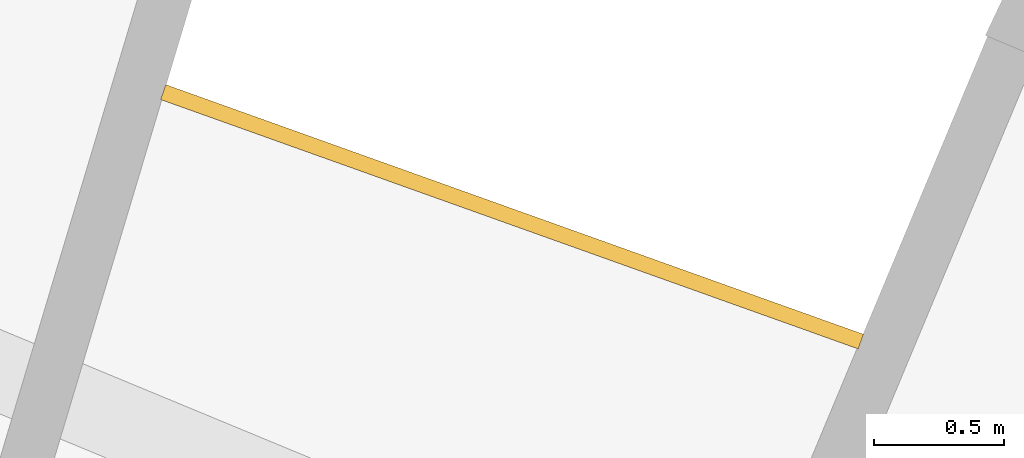
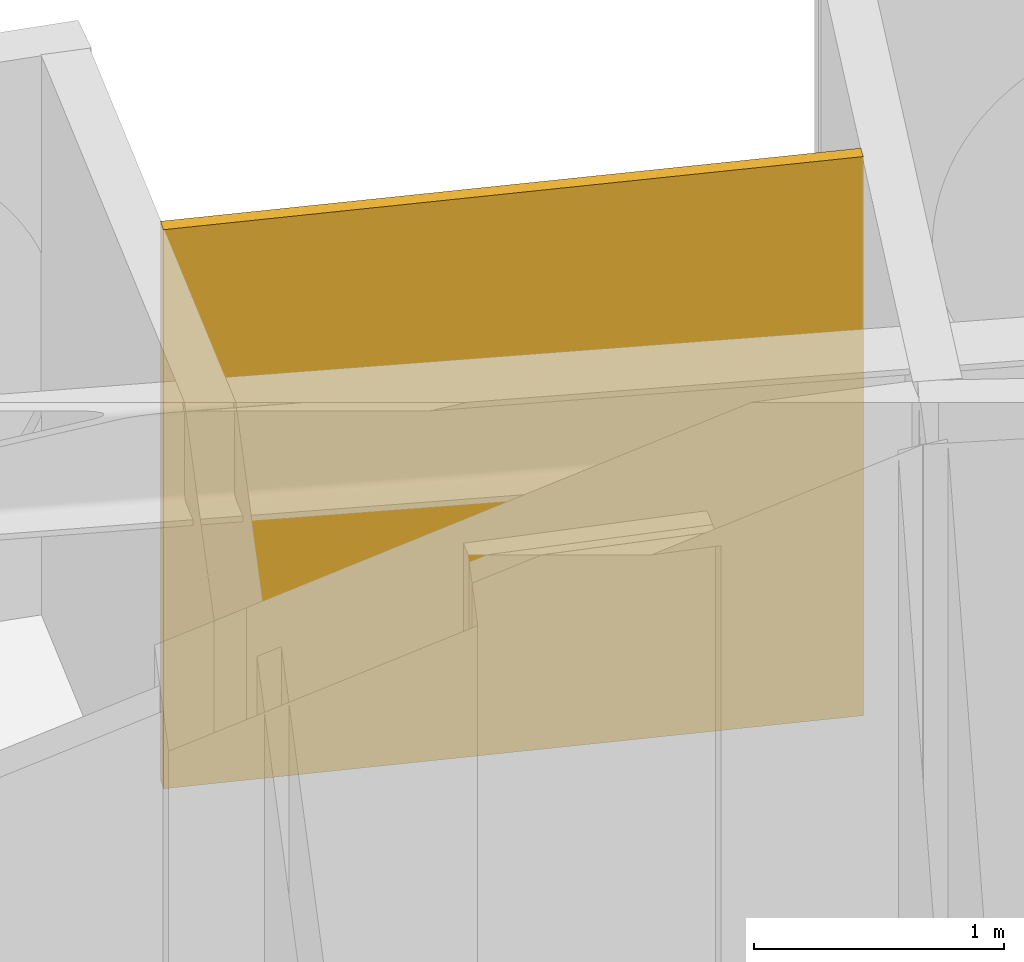
# One storey, part 26 of 26: 1 railing.
"""IFC4 building model written with IfcOpenShell, lengths in metres."""

from ifc_helpers import new_model, si_unit, direction, frame, origin, place, context, subcontext, project, spatial, polyline, outline, extrude, material, layer, layer_set, type_object, element, save


model = new_model("IFC4")

# Units and contexts
model_context = context("Model", 3, precision=1e-05, world=origin(), true_north=direction((0.0, 1.0)))
body_context = subcontext(model_context, "Body", "Model", "MODEL_VIEW")
ifc_project = project(units=[si_unit("LENGTHUNIT", "METRE"), si_unit("AREAUNIT", "SQUARE_METRE"), si_unit("VOLUMEUNIT", "CUBIC_METRE"), si_unit("PLANEANGLEUNIT", "RADIAN"), si_unit("MASSUNIT", "GRAM", prefix="KILO")], contexts=[model_context])

# Site, building, storey
site_placement = place(None, origin())
site = spatial("IfcSite", under=ifc_project, at=site_placement, CompositionType="ELEMENT")
building_placement = place(site_placement, origin())
building = spatial("IfcBuilding", under=site, at=building_placement, Name="Maasbend Ring Residences", CompositionType="ELEMENT")
storey_placement = place(building_placement, frame((0.0, 0.0, 31.949951171875)))
storey = spatial("IfcBuildingStorey", under=building, at=storey_placement, Name="L08", CompositionType="ELEMENT", Elevation=31.949951171875)

# Railing
ifc_material = material(Name="Pale anodised perforated aluminium", Category="aluminium")
ifc_layer = layer(ifc_material, 0.06005859375)
ifc_layer_set = layer_set([ifc_layer], Name="SCREEN-P")
railing_type = type_object("IfcRailingType", Name="SCREEN-P", PredefinedType="GUARDRAIL", material=ifc_layer_set)
railing_placement = place(storey_placement, frame((0.0, 0.0, -0.030029296875)))
element("IfcRailing", 1, at=railing_placement, inside=storey, type_object=railing_type, Name="Perforated screen guard 4", PredefinedType="GUARDRAIL", context=body_context, shape_type="SweptSolid", body=[
    extrude(outline(polyline([(11.097900390625, 26.79296875), (8.41796875, 27.7509765625), (8.43798828125, 27.80810546875), (11.117919921875, 26.84912109375), (11.097900390625, 26.79296875)])), origin(), (0.0, 0.0, 1.0), 2.72998046875),
])

save(model, "model.ifc")
